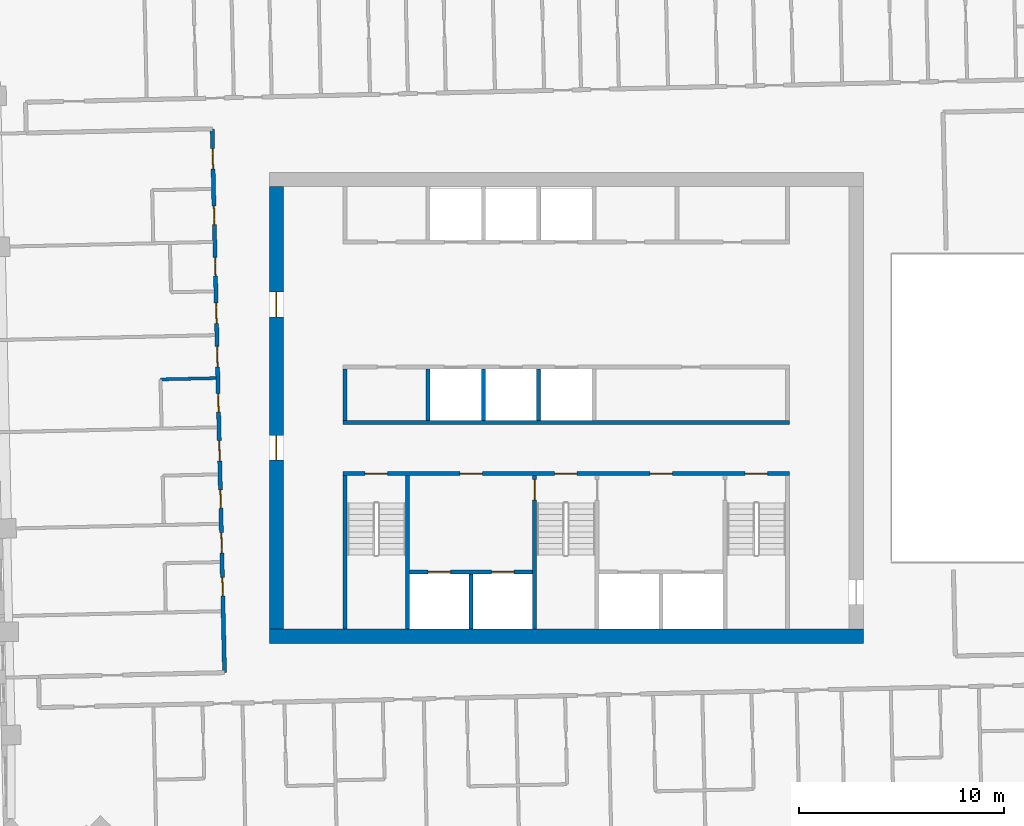
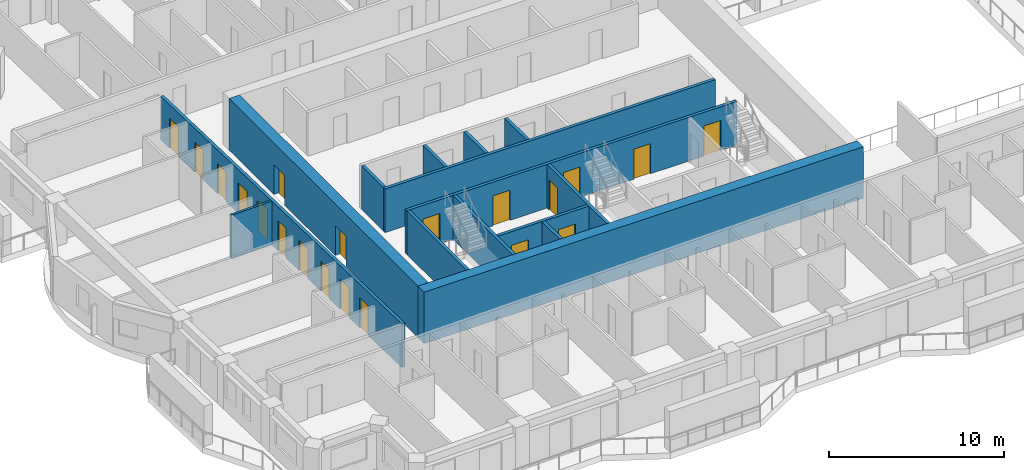
# One storey, part 9 of 20: 20 doors, 15 walls, 20 openings.
"""IFC4 building model written with IfcOpenShell, lengths in metres."""

from ifc_helpers import new_model, si_unit, direction, frame, frame_2d, origin, place, context, subcontext, project, spatial, rectangle, extrude, material, layer, layer_set, type_object, element, fill, save


model = new_model("IFC4")

# Units and contexts
model_context = context("Model", 3, precision=1e-05, world=origin(), true_north=direction((0.0, 1.0)))
body_context = subcontext(model_context, "Body", "Model", "MODEL_VIEW")
ifc_project = project(units=[si_unit("LENGTHUNIT", "METRE"), si_unit("AREAUNIT", "SQUARE_METRE"), si_unit("VOLUMEUNIT", "CUBIC_METRE"), si_unit("PLANEANGLEUNIT", "RADIAN"), si_unit("MASSUNIT", "GRAM", prefix="KILO")], contexts=[model_context])

# Site, building, storey
site_placement = place(None, origin())
site = spatial("IfcSite", under=ifc_project, at=site_placement, CompositionType="ELEMENT")
building_placement = place(site_placement, origin())
building = spatial("IfcBuilding", under=site, at=building_placement, Name="Mangrove Gate Tower", CompositionType="ELEMENT")
storey_placement = place(building_placement, frame((0.0, 0.0, 294.300048828125)))
storey = spatial("IfcBuildingStorey", under=building, at=storey_placement, Name="L75", CompositionType="ELEMENT", Elevation=294.300048828125)

# Walls
ifc_material_1 = material(Name="Concrete C32/40", Category="concrete")
ifc_layer_1 = layer(ifc_material_1, 0.199951171875)
ifc_layer_set_1 = layer_set([ifc_layer_1], Name="Core room wall 200 C32/40")
wall_type_1 = type_object("IfcWallType", Name="Core room wall 200 C32/40", PredefinedType="STANDARD", material=ifc_layer_set_1)
wall_1_placement = place(storey_placement, frame((-10.800048828125, -0.60009765625, 0.0), z_axis=(0.0, 0.0, 1.0), x_axis=(0.0, 1.0, 0.0)))
element("IfcWall", 1, at=wall_1_placement, inside=storey, type_object=wall_type_1, Name="WALL-L75-CORE-19", PredefinedType="STANDARD", context=body_context, shape_type="SweptSolid", body=[
    extrude(rectangle(XDim=2.5, YDim=0.199951171875, at=frame_2d((1.25, 0.0))), origin(), (0.0, 0.0, 1.0), 3.050048828125),
])
ifc_material_2 = material(Name="Concrete C50/60", Category="concrete")
ifc_layer_2 = layer(ifc_material_2, 0.199951171875)
ifc_layer_set_2 = layer_set([ifc_layer_2], Name="Core shaft wall 200 C50/60")
wall_type_2 = type_object("IfcWallType", Name="Core shaft wall 200 C50/60", PredefinedType="SHEAR", material=ifc_layer_set_2)
wall_2_placement = place(storey_placement, frame((-10.89990234375, -0.699951171875, 0.0), z_axis=(0.0, 0.0, 1.0), x_axis=(1.0, 0.0, 0.0)))
element("IfcWall", 2, at=wall_2_placement, inside=storey, type_object=wall_type_2, Name="WALL-L75-CORE-6", PredefinedType="SHEAR", context=body_context, shape_type="SweptSolid", body=[
    extrude(rectangle(XDim=21.7998046875, YDim=0.199951171875, at=frame_2d((10.89990234375, 0.0))), origin(), (0.0, 0.0, 1.0), 3.050048828125),
])

# Wall, openings, doors
wall_3_placement = place(storey_placement, frame((-7.64990234375, -8.0, 0.0), z_axis=(0.0, 0.0, 1.0), x_axis=(1.0, 0.0, 0.0)))
wall_3 = element("IfcWall", 3, at=wall_3_placement, inside=storey, type_object=wall_type_2, Name="WALL-L75-CORE-15", PredefinedType="SHEAR", context=body_context, shape_type="SweptSolid", body=[
    extrude(rectangle(XDim=6.0, YDim=0.199951171875, at=frame_2d((3.0, 0.0))), origin(), (0.0, 0.0, 1.0), 3.050048828125),
])
opening_1_placement = place(wall_3_placement, frame((0.89990234375, 0.0, 0.0)))
opening_1 = element("IfcOpeningElement", 4, at=opening_1_placement, cuts=wall_3, Name="Opening LD", PredefinedType="OPENING", context=body_context, shape_type="SweptSolid", body=[
    extrude(rectangle(XDim=1.10009765625, YDim=2.10009765625, at=frame_2d((0.550048828125, 1.050048828125))), frame((0.0, 0.10986328125, 0.0), z_axis=(0.0, -1.0, 0.0), x_axis=(1.0, 0.0, 0.0)), (0.0, 0.0, 1.0), 0.219970703125),
])
opening_2_placement = place(wall_3_placement, frame((4.0, 0.0, 0.0)))
opening_2 = element("IfcOpeningElement", 5, at=opening_2_placement, cuts=wall_3, Name="Opening LD", PredefinedType="OPENING", context=body_context, shape_type="SweptSolid", body=[
    extrude(rectangle(XDim=1.10009765625, YDim=2.10009765625, at=frame_2d((0.550048828125, 1.050048828125))), frame((0.0, 0.10986328125, 0.0), z_axis=(0.0, -1.0, 0.0), x_axis=(1.0, 0.0, 0.0)), (0.0, 0.0, 1.0), 0.219970703125),
])
ifc_material_3 = material(Name="Stainless steel 316", Category="steel")
door_type_1 = type_object("IfcDoorType", Name="Lift landing door 1100x2100", OperationType="SLIDING_TO_LEFT", PredefinedType="DOOR", material=ifc_material_3)
door_1_placement = place(opening_1_placement, origin())
door_1 = element("IfcDoor", 6, at=door_1_placement, inside=storey, type_object=door_type_1, Name="Landing door LD SVL1", OperationType="SLIDING_TO_LEFT", OverallHeight=2.10009765625, OverallWidth=1.10009765625, PredefinedType="DOOR", context=body_context, shape_type="SweptSolid", body=[
    extrude(rectangle(XDim=1.10009765625, YDim=2.10009765625, at=frame_2d((0.550048828125, 1.050048828125))), frame((0.0, 0.02490234375, 0.0), z_axis=(0.0, -1.0, 0.0), x_axis=(1.0, 0.0, 0.0)), (0.0, 0.0, 1.0), 0.050048828125),
])
fill(opening_1, door_1)
door_2_placement = place(opening_2_placement, origin())
door_2 = element("IfcDoor", 7, at=door_2_placement, inside=storey, type_object=door_type_1, Name="Landing door LD SVL2", OperationType="SLIDING_TO_LEFT", OverallHeight=2.10009765625, OverallWidth=1.10009765625, PredefinedType="DOOR", context=body_context, shape_type="SweptSolid", body=[
    extrude(rectangle(XDim=1.10009765625, YDim=2.10009765625, at=frame_2d((0.550048828125, 1.050048828125))), frame((0.0, 0.02490234375, 0.0), z_axis=(0.0, -1.0, 0.0), x_axis=(1.0, 0.0, 0.0)), (0.0, 0.0, 1.0), 0.050048828125),
])
fill(opening_2, door_2)

# Walls
wall_4_placement = place(storey_placement, frame((-4.64990234375, -10.800048828125, 0.0), z_axis=(0.0, 0.0, 1.0), x_axis=(0.0, 1.0, 0.0)))
element("IfcWall", 8, at=wall_4_placement, inside=storey, type_object=wall_type_2, Name="WALL-L75-CORE-16", PredefinedType="SHEAR", context=body_context, shape_type="SweptSolid", body=[
    extrude(rectangle(XDim=2.699951171875, YDim=0.199951171875, at=frame_2d((1.35009765625, 0.0))), origin(), (0.0, 0.0, 1.0), 3.050048828125),
])
for number, where, z_axis, x_axis, name in (
    (9, (-6.75, -0.60009765625, 0.0), (0.0, 0.0, 1.0), (0.0, 1.0, 0.0), "WALL-L75-CORE-20"),
    (10, (-4.050048828125, -0.60009765625, 0.0), (0.0, 0.0, 1.0), (0.0, 1.0, 0.0), "WALL-L75-CORE-21"),
    (11, (-1.35009765625, -0.60009765625, 0.0), (0.0, 0.0, 1.0), (0.0, 1.0, 0.0), "WALL-L75-CORE-22"),
):
    element("IfcWall", number, at=place(storey_placement, frame(where, z_axis=z_axis, x_axis=x_axis)), inside=storey, type_object=wall_type_2, Name=name, PredefinedType="SHEAR", context=body_context, shape_type="SweptSolid", body=[
        extrude(rectangle(XDim=2.5, YDim=0.199951171875, at=frame_2d((1.25, 0.0))), origin(), (0.0, 0.0, 1.0), 3.050048828125),
    ])

# Wall, openings, doors
ifc_material_4 = material(Name="Concrete C50/60", Category="concrete")
ifc_layer_3 = layer(ifc_material_4, 0.199951171875)
ifc_layer_set_3 = layer_set([ifc_layer_3], Name="Core stair wall 200 C50/60")
wall_type_3 = type_object("IfcWallType", Name="Core stair wall 200 C50/60", PredefinedType="SHEAR", material=ifc_layer_set_3)
wall_5_placement = place(storey_placement, frame((-10.89990234375, -3.199951171875, 0.0), z_axis=(0.0, 0.0, 1.0), x_axis=(1.0, 0.0, 0.0)))
wall_5 = element("IfcWall", 12, at=wall_5_placement, inside=storey, type_object=wall_type_3, Name="WALL-L75-CORE-5", PredefinedType="SHEAR", context=body_context, shape_type="SweptSolid", body=[
    extrude(rectangle(XDim=21.7998046875, YDim=0.199951171875, at=frame_2d((10.89990234375, 0.0))), origin(), (0.0, 0.0, 1.0), 3.050048828125),
])
opening_3_placement = place(wall_5_placement, frame((1.074951171875, 0.0, 0.0)))
opening_3 = element("IfcOpeningElement", 13, at=opening_3_placement, cuts=wall_5, Name="Opening STD11", PredefinedType="OPENING", context=body_context, shape_type="SweptSolid", body=[
    extrude(rectangle(XDim=1.10009765625, YDim=2.10009765625, at=frame_2d((0.550048828125, 1.050048828125))), frame((0.0, 0.10986328125, 0.0), z_axis=(0.0, -1.0, 0.0), x_axis=(1.0, 0.0, 0.0)), (0.0, 0.0, 1.0), 0.219970703125),
])
opening_4_placement = place(wall_5_placement, frame((10.324951171875, 0.0, 0.0)))
opening_4 = element("IfcOpeningElement", 14, at=opening_4_placement, cuts=wall_5, Name="Opening STD11", PredefinedType="OPENING", context=body_context, shape_type="SweptSolid", body=[
    extrude(rectangle(XDim=1.10009765625, YDim=2.10009765625, at=frame_2d((0.550048828125, 1.050048828125))), frame((0.0, 0.10986328125, 0.0), z_axis=(0.0, -1.0, 0.0), x_axis=(1.0, 0.0, 0.0)), (0.0, 0.0, 1.0), 0.219970703125),
])
opening_5_placement = place(wall_5_placement, frame((19.625, 0.0, 0.0)))
opening_5 = element("IfcOpeningElement", 15, at=opening_5_placement, cuts=wall_5, Name="Opening STD11", PredefinedType="OPENING", context=body_context, shape_type="SweptSolid", body=[
    extrude(rectangle(XDim=1.10009765625, YDim=2.10009765625, at=frame_2d((0.550048828125, 1.050048828125))), frame((0.0, 0.10986328125, 0.0), z_axis=(0.0, -1.0, 0.0), x_axis=(1.0, 0.0, 0.0)), (0.0, 0.0, 1.0), 0.219970703125),
])
opening_6_placement = place(wall_5_placement, frame((5.699951171875, 0.0, 0.0)))
opening_6 = element("IfcOpeningElement", 16, at=opening_6_placement, cuts=wall_5, Name="Opening FL", PredefinedType="OPENING", context=body_context, shape_type="SweptSolid", body=[
    extrude(rectangle(XDim=1.10009765625, YDim=2.10009765625, at=frame_2d((0.550048828125, 1.050048828125))), frame((0.0, 0.10986328125, 0.0), z_axis=(0.0, -1.0, 0.0), x_axis=(1.0, 0.0, 0.0)), (0.0, 0.0, 1.0), 0.219970703125),
])
opening_7_placement = place(wall_5_placement, frame((14.97509765625, 0.0, 0.0)))
opening_7 = element("IfcOpeningElement", 17, at=opening_7_placement, cuts=wall_5, Name="Opening FL", PredefinedType="OPENING", context=body_context, shape_type="SweptSolid", body=[
    extrude(rectangle(XDim=1.10009765625, YDim=2.10009765625, at=frame_2d((0.550048828125, 1.050048828125))), frame((0.0, 0.10986328125, 0.0), z_axis=(0.0, -1.0, 0.0), x_axis=(1.0, 0.0, 0.0)), (0.0, 0.0, 1.0), 0.219970703125),
])
ifc_material_5 = material(Name="Fire-rated steel door set", Category="steel")
door_type_2 = type_object("IfcDoorType", Name="Lobby door FD60 1100x2100", OperationType="SINGLE_SWING_LEFT", PredefinedType="DOOR", material=ifc_material_5)
door_3_placement = place(opening_6_placement, origin())
door_3 = element("IfcDoor", 18, at=door_3_placement, inside=storey, type_object=door_type_2, Name="Lobby door service lobby", OperationType="SINGLE_SWING_LEFT", OverallHeight=2.10009765625, OverallWidth=1.10009765625, PredefinedType="DOOR", context=body_context, shape_type="SweptSolid", body=[
    extrude(rectangle(XDim=1.10009765625, YDim=2.10009765625, at=frame_2d((0.550048828125, 1.050048828125))), frame((0.0, 0.02490234375, 0.0), z_axis=(0.0, -1.0, 0.0), x_axis=(1.0, 0.0, 0.0)), (0.0, 0.0, 1.0), 0.050048828125),
])
fill(opening_6, door_3)
door_4_placement = place(opening_7_placement, origin())
door_4 = element("IfcDoor", 19, at=door_4_placement, inside=storey, type_object=door_type_2, Name="Lobby door fire-fighting lobby", OperationType="SINGLE_SWING_LEFT", OverallHeight=2.10009765625, OverallWidth=1.10009765625, PredefinedType="DOOR", context=body_context, shape_type="SweptSolid", body=[
    extrude(rectangle(XDim=1.10009765625, YDim=2.10009765625, at=frame_2d((0.550048828125, 1.050048828125))), frame((0.0, 0.02490234375, 0.0), z_axis=(0.0, -1.0, 0.0), x_axis=(1.0, 0.0, 0.0)), (0.0, 0.0, 1.0), 0.050048828125),
])
fill(opening_7, door_4)
ifc_material_6 = material(Name="Fire-rated steel door set", Category="steel")
door_type_3 = type_object("IfcDoorType", Name="Stair door FD60 1100x2100", OperationType="SINGLE_SWING_RIGHT", PredefinedType="DOOR", material=ifc_material_6)
door_5_placement = place(opening_3_placement, origin())
door_5 = element("IfcDoor", 20, at=door_5_placement, inside=storey, type_object=door_type_3, Name="Stair door Stair 1", OperationType="SINGLE_SWING_RIGHT", OverallHeight=2.10009765625, OverallWidth=1.10009765625, PredefinedType="DOOR", context=body_context, shape_type="SweptSolid", body=[
    extrude(rectangle(XDim=1.10009765625, YDim=2.10009765625, at=frame_2d((0.550048828125, 1.050048828125))), frame((0.0, 0.02490234375, 0.0), z_axis=(0.0, -1.0, 0.0), x_axis=(1.0, 0.0, 0.0)), (0.0, 0.0, 1.0), 0.050048828125),
])
fill(opening_3, door_5)
door_6_placement = place(opening_4_placement, origin())
door_6 = element("IfcDoor", 21, at=door_6_placement, inside=storey, type_object=door_type_3, Name="Stair door Stair 2", OperationType="SINGLE_SWING_RIGHT", OverallHeight=2.10009765625, OverallWidth=1.10009765625, PredefinedType="DOOR", context=body_context, shape_type="SweptSolid", body=[
    extrude(rectangle(XDim=1.10009765625, YDim=2.10009765625, at=frame_2d((0.550048828125, 1.050048828125))), frame((0.0, 0.02490234375, 0.0), z_axis=(0.0, -1.0, 0.0), x_axis=(1.0, 0.0, 0.0)), (0.0, 0.0, 1.0), 0.050048828125),
])
fill(opening_4, door_6)
door_7_placement = place(opening_5_placement, origin())
door_7 = element("IfcDoor", 22, at=door_7_placement, inside=storey, type_object=door_type_3, Name="Stair door Stair 3", OperationType="SINGLE_SWING_RIGHT", OverallHeight=2.10009765625, OverallWidth=1.10009765625, PredefinedType="DOOR", context=body_context, shape_type="SweptSolid", body=[
    extrude(rectangle(XDim=1.10009765625, YDim=2.10009765625, at=frame_2d((0.550048828125, 1.050048828125))), frame((0.0, 0.02490234375, 0.0), z_axis=(0.0, -1.0, 0.0), x_axis=(1.0, 0.0, 0.0)), (0.0, 0.0, 1.0), 0.050048828125),
])
fill(opening_5, door_7)

# Walls
for number, where, z_axis, x_axis, name in (
    (23, (-10.800048828125, -10.800048828125, 0.0), (0.0, 0.0, 1.0), (0.0, 1.0, 0.0), "WALL-L75-CORE-9"),
    (24, (-7.75, -10.800048828125, 0.0), (0.0, 0.0, 1.0), (0.0, 1.0, 0.0), "WALL-L75-CORE-10"),
):
    element("IfcWall", number, at=place(storey_placement, frame(where, z_axis=z_axis, x_axis=x_axis)), inside=storey, type_object=wall_type_3, Name=name, PredefinedType="SHEAR", context=body_context, shape_type="SweptSolid", body=[
        extrude(rectangle(XDim=7.5, YDim=0.199951171875, at=frame_2d((3.75, 0.0))), origin(), (0.0, 0.0, 1.0), 3.050048828125),
    ])

# Wall, opening, door
wall_6_placement = place(storey_placement, frame((-1.550048828125, -10.800048828125, 0.0), z_axis=(0.0, 0.0, 1.0), x_axis=(0.0, 1.0, 0.0)))
wall_6 = element("IfcWall", 25, at=wall_6_placement, inside=storey, type_object=wall_type_3, Name="WALL-L75-CORE-11", PredefinedType="SHEAR", context=body_context, shape_type="SweptSolid", body=[
    extrude(rectangle(XDim=7.5, YDim=0.199951171875, at=frame_2d((3.75, 0.0))), origin(), (0.0, 0.0, 1.0), 3.050048828125),
])
opening_8_placement = place(wall_6_placement, frame((6.300048828125, 0.0, 0.0)))
opening_8 = element("IfcOpeningElement", 26, at=opening_8_placement, cuts=wall_6, Name="Opening STD10", PredefinedType="OPENING", context=body_context, shape_type="SweptSolid", body=[
    extrude(rectangle(XDim=1.0, YDim=2.10009765625, at=frame_2d((0.5, 1.050048828125))), frame((0.0, 0.10986328125, 0.0), z_axis=(0.0, -1.0, 0.0), x_axis=(1.0, 0.0, 0.0)), (0.0, 0.0, 1.0), 0.219970703125),
])
ifc_material_7 = material(Name="Fire-rated steel door set", Category="steel")
door_type_4 = type_object("IfcDoorType", Name="Stair door FD60 1000x2100", OperationType="SINGLE_SWING_RIGHT", PredefinedType="DOOR", material=ifc_material_7)
door_8_placement = place(opening_8_placement, origin())
door_8 = element("IfcDoor", 27, at=door_8_placement, inside=storey, type_object=door_type_4, Name="Stair door Stair 2 from service lobby", OperationType="SINGLE_SWING_RIGHT", OverallHeight=2.10009765625, OverallWidth=1.0, PredefinedType="DOOR", context=body_context, shape_type="SweptSolid", body=[
    extrude(rectangle(XDim=1.0, YDim=2.10009765625, at=frame_2d((0.5, 1.050048828125))), frame((0.0, 0.02490234375, 0.0), z_axis=(0.0, -1.0, 0.0), x_axis=(1.0, 0.0, 0.0)), (0.0, 0.0, 1.0), 0.050048828125),
])
fill(opening_8, door_8)

# Wall
ifc_material_8 = material(Name="Concrete C50/60", Category="concrete")
ifc_layer_4 = layer(ifc_material_8, 0.699951171875)
ifc_layer_set_4 = layer_set([ifc_layer_4], Name="Core wall 700 C50/60")
wall_type_4 = type_object("IfcWallType", Name="Core wall 700 C50/60", PredefinedType="SHEAR", material=ifc_layer_set_4)
wall_7_placement = place(storey_placement, frame((-14.5, -11.14990234375, 0.0), z_axis=(0.0, 0.0, 1.0), x_axis=(1.0, 0.0, 0.0)))
element("IfcWall", 28, at=wall_7_placement, inside=storey, type_object=wall_type_4, Name="WALL-L75-CORE-1", PredefinedType="SHEAR", context=body_context, shape_type="SweptSolid", body=[
    extrude(rectangle(XDim=29.0, YDim=0.699951171875, at=frame_2d((14.5, 0.0))), origin(), (0.0, 0.0, 1.0), 3.599853515625),
])

# Wall, openings, doors
wall_8_placement = place(storey_placement, frame((-14.14990234375, -10.800048828125, 0.0), z_axis=(0.0, 0.0, 1.0), x_axis=(0.0, 1.0, 0.0)))
wall_8 = element("IfcWall", 29, at=wall_8_placement, inside=storey, type_object=wall_type_4, Name="WALL-L75-CORE-3", PredefinedType="SHEAR", context=body_context, shape_type="SweptSolid", body=[
    extrude(rectangle(XDim=21.60009765625, YDim=0.699951171875, at=frame_2d((10.800048828125, 0.0))), origin(), (0.0, 0.0, 1.0), 3.599853515625),
])
opening_9_placement = place(wall_8_placement, frame((8.25, 0.0, 0.0)))
opening_9 = element("IfcOpeningElement", 30, at=opening_9_placement, cuts=wall_8, Name="Opening CD", PredefinedType="OPENING", context=body_context, shape_type="SweptSolid", body=[
    extrude(rectangle(XDim=1.199951171875, YDim=2.10009765625, at=frame_2d((0.60009765625, 1.050048828125))), frame((0.0, 0.35986328125, 0.0), z_axis=(0.0, -1.0, 0.0), x_axis=(1.0, 0.0, 0.0)), (0.0, 0.0, 1.0), 0.719970703125),
])
opening_10_placement = place(wall_8_placement, frame((15.25, 0.0, 0.0)))
opening_10 = element("IfcOpeningElement", 31, at=opening_10_placement, cuts=wall_8, Name="Opening CD", PredefinedType="OPENING", context=body_context, shape_type="SweptSolid", body=[
    extrude(rectangle(XDim=1.199951171875, YDim=2.10009765625, at=frame_2d((0.60009765625, 1.050048828125))), frame((0.0, 0.35986328125, 0.0), z_axis=(0.0, -1.0, 0.0), x_axis=(1.0, 0.0, 0.0)), (0.0, 0.0, 1.0), 0.719970703125),
])
ifc_material_9 = material(Name="Fire-rated steel door set", Category="steel")
door_type_5 = type_object("IfcDoorType", Name="Core ring door FD60 1200x2100", OperationType="DOUBLE_DOOR_SINGLE_SWING", PredefinedType="DOOR", material=ifc_material_9)
door_9_placement = place(opening_9_placement, origin())
door_9 = element("IfcDoor", 32, at=door_9_placement, inside=storey, type_object=door_type_5, Name="Core ring door W1", OperationType="DOUBLE_DOOR_SINGLE_SWING", OverallHeight=2.10009765625, OverallWidth=1.199951171875, PredefinedType="DOOR", context=body_context, shape_type="SweptSolid", body=[
    extrude(rectangle(XDim=1.199951171875, YDim=2.10009765625, at=frame_2d((0.60009765625, 1.050048828125))), frame((0.0, 0.02490234375, 0.0), z_axis=(0.0, -1.0, 0.0), x_axis=(1.0, 0.0, 0.0)), (0.0, 0.0, 1.0), 0.050048828125),
])
fill(opening_9, door_9)
door_10_placement = place(opening_10_placement, origin())
door_10 = element("IfcDoor", 33, at=door_10_placement, inside=storey, type_object=door_type_5, Name="Core ring door W2", OperationType="DOUBLE_DOOR_SINGLE_SWING", OverallHeight=2.10009765625, OverallWidth=1.199951171875, PredefinedType="DOOR", context=body_context, shape_type="SweptSolid", body=[
    extrude(rectangle(XDim=1.199951171875, YDim=2.10009765625, at=frame_2d((0.60009765625, 1.050048828125))), frame((0.0, 0.02490234375, 0.0), z_axis=(0.0, -1.0, 0.0), x_axis=(1.0, 0.0, 0.0)), (0.0, 0.0, 1.0), 0.050048828125),
])
fill(opening_10, door_10)

ifc_material_10 = material(Name="Gypsum board on steel stud, EI 60", Category="steel")
ifc_layer_5 = layer(ifc_material_10, 0.199951171875)
ifc_layer_set_5 = layer_set([ifc_layer_5], Name="Corridor wall EI 60")
wall_type_5 = type_object("IfcWallType", Name="Corridor wall EI 60", PredefinedType="PARTITIONING", material=ifc_layer_set_5)
wall_9_placement = place(storey_placement, frame((-16.68408203125, -12.9189453125, 0.0), z_axis=(0.0, 0.0, 1.0), x_axis=(-0.022712214871, 0.999742044377, 0.0)))
wall_9 = element("IfcWall", 34, at=wall_9_placement, inside=storey, type_object=wall_type_5, Name="WALL-L75-034", PredefinedType="PARTITIONING", context=body_context, shape_type="SweptSolid", body=[
    extrude(rectangle(XDim=26.55078125, YDim=0.199951171875, at=frame_2d((13.275390625, 0.0))), origin(), (0.0, 0.0, 1.0), 3.050048828125),
])
opening_11_placement = place(wall_9_placement, frame((24.587890625, 0.0, 0.0)))
opening_11 = element("IfcOpeningElement", 35, at=opening_11_placement, cuts=wall_9, Name="Opening AD", PredefinedType="OPENING", context=body_context, shape_type="SweptSolid", body=[
    extrude(rectangle(XDim=1.0, YDim=2.10009765625, at=frame_2d((0.5, 1.050048828125))), frame((0.0, 0.10986328125, 0.0), z_axis=(0.0, -1.0, 0.0), x_axis=(1.0, 0.0, 0.0)), (0.0, 0.0, 1.0), 0.219970703125),
])
opening_12_placement = place(wall_9_placement, frame((21.875, 0.0, 0.0)))
opening_12 = element("IfcOpeningElement", 36, at=opening_12_placement, cuts=wall_9, Name="Opening SD", PredefinedType="OPENING", context=body_context, shape_type="SweptSolid", body=[
    extrude(rectangle(XDim=0.89990234375, YDim=2.10009765625, at=frame_2d((0.449951171875, 1.050048828125))), frame((0.0, 0.10986328125, 0.0), z_axis=(0.0, -1.0, 0.0), x_axis=(1.0, 0.0, 0.0)), (0.0, 0.0, 1.0), 0.219970703125),
])
opening_13_placement = place(wall_9_placement, frame((17.050048828125, 0.0, 0.0)))
opening_13 = element("IfcOpeningElement", 37, at=opening_13_placement, cuts=wall_9, Name="Opening AD", PredefinedType="OPENING", context=body_context, shape_type="SweptSolid", body=[
    extrude(rectangle(XDim=1.0, YDim=2.10009765625, at=frame_2d((0.5, 1.050048828125))), frame((0.0, 0.10986328125, 0.0), z_axis=(0.0, -1.0, 0.0), x_axis=(1.0, 0.0, 0.0)), (0.0, 0.0, 1.0), 0.219970703125),
])
opening_14_placement = place(wall_9_placement, frame((19.375, 0.0, 0.0)))
opening_14 = element("IfcOpeningElement", 38, at=opening_14_placement, cuts=wall_9, Name="Opening SD", PredefinedType="OPENING", context=body_context, shape_type="SweptSolid", body=[
    extrude(rectangle(XDim=0.89990234375, YDim=2.10009765625, at=frame_2d((0.449951171875, 1.050048828125))), frame((0.0, 0.10986328125, 0.0), z_axis=(0.0, -1.0, 0.0), x_axis=(1.0, 0.0, 0.0)), (0.0, 0.0, 1.0), 0.219970703125),
])
opening_15_placement = place(wall_9_placement, frame((14.925048828125, 0.0, 0.0)))
opening_15 = element("IfcOpeningElement", 39, at=opening_15_placement, cuts=wall_9, Name="Opening AD", PredefinedType="OPENING", context=body_context, shape_type="SweptSolid", body=[
    extrude(rectangle(XDim=1.0, YDim=2.10009765625, at=frame_2d((0.5, 1.050048828125))), frame((0.0, 0.10986328125, 0.0), z_axis=(0.0, -1.0, 0.0), x_axis=(1.0, 0.0, 0.0)), (0.0, 0.0, 1.0), 0.219970703125),
])
opening_16_placement = place(wall_9_placement, frame((12.72509765625, 0.0, 0.0)))
opening_16 = element("IfcOpeningElement", 40, at=opening_16_placement, cuts=wall_9, Name="Opening SD", PredefinedType="OPENING", context=body_context, shape_type="SweptSolid", body=[
    extrude(rectangle(XDim=0.89990234375, YDim=2.10009765625, at=frame_2d((0.449951171875, 1.050048828125))), frame((0.0, 0.10986328125, 0.0), z_axis=(0.0, -1.0, 0.0), x_axis=(1.0, 0.0, 0.0)), (0.0, 0.0, 1.0), 0.219970703125),
])
opening_17_placement = place(wall_9_placement, frame((10.324951171875, 0.0, 0.0)))
opening_17 = element("IfcOpeningElement", 41, at=opening_17_placement, cuts=wall_9, Name="Opening AD", PredefinedType="OPENING", context=body_context, shape_type="SweptSolid", body=[
    extrude(rectangle(XDim=1.0, YDim=2.10009765625, at=frame_2d((0.5, 1.050048828125))), frame((0.0, 0.10986328125, 0.0), z_axis=(0.0, -1.0, 0.0), x_axis=(1.0, 0.0, 0.0)), (0.0, 0.0, 1.0), 0.219970703125),
])
opening_18_placement = place(wall_9_placement, frame((8.02490234375, 0.0, 0.0)))
opening_18 = element("IfcOpeningElement", 42, at=opening_18_placement, cuts=wall_9, Name="Opening SD", PredefinedType="OPENING", context=body_context, shape_type="SweptSolid", body=[
    extrude(rectangle(XDim=0.89990234375, YDim=2.10009765625, at=frame_2d((0.449951171875, 1.050048828125))), frame((0.0, 0.10986328125, 0.0), z_axis=(0.0, -1.0, 0.0), x_axis=(1.0, 0.0, 0.0)), (0.0, 0.0, 1.0), 0.219970703125),
])
opening_19_placement = place(wall_9_placement, frame((5.8369140625, 0.0, 0.0)))
opening_19 = element("IfcOpeningElement", 43, at=opening_19_placement, cuts=wall_9, Name="Opening AD", PredefinedType="OPENING", context=body_context, shape_type="SweptSolid", body=[
    extrude(rectangle(XDim=1.0, YDim=2.10009765625, at=frame_2d((0.5, 1.050048828125))), frame((0.0, 0.10986328125, 0.0), z_axis=(0.0, -1.0, 0.0), x_axis=(1.0, 0.0, 0.0)), (0.0, 0.0, 1.0), 0.219970703125),
])
opening_20_placement = place(wall_9_placement, frame((3.75, 0.0, 0.0)))
opening_20 = element("IfcOpeningElement", 44, at=opening_20_placement, cuts=wall_9, Name="Opening SD", PredefinedType="OPENING", context=body_context, shape_type="SweptSolid", body=[
    extrude(rectangle(XDim=0.89990234375, YDim=2.10009765625, at=frame_2d((0.449951171875, 1.050048828125))), frame((0.0, 0.10986328125, 0.0), z_axis=(0.0, -1.0, 0.0), x_axis=(1.0, 0.0, 0.0)), (0.0, 0.0, 1.0), 0.219970703125),
])
ifc_material_11 = material(Name="Timber door leaf", Category="wood")
door_type_6 = type_object("IfcDoorType", Name="Amenity door 1000", OperationType="SINGLE_SWING_LEFT", PredefinedType="DOOR", material=ifc_material_11)
door_11_placement = place(opening_11_placement, origin())
door_11 = element("IfcDoor", 45, at=door_11_placement, inside=storey, type_object=door_type_6, Name="DOOR-L75-KIT-c5a", OperationType="SINGLE_SWING_LEFT", OverallHeight=2.10009765625, OverallWidth=1.0, PredefinedType="DOOR", context=body_context, shape_type="SweptSolid", body=[
    extrude(rectangle(XDim=1.0, YDim=2.10009765625, at=frame_2d((0.5, 1.050048828125))), frame((0.0, 0.02490234375, 0.0), z_axis=(0.0, -1.0, 0.0), x_axis=(1.0, 0.0, 0.0)), (0.0, 0.0, 1.0), 0.050048828125),
])
fill(opening_11, door_11)
door_12_placement = place(opening_13_placement, origin())
door_12 = element("IfcDoor", 46, at=door_12_placement, inside=storey, type_object=door_type_6, Name="DOOR-L75-KIT-c5b", OperationType="SINGLE_SWING_RIGHT", OverallHeight=2.10009765625, OverallWidth=1.0, PredefinedType="DOOR", context=body_context, shape_type="SweptSolid", body=[
    extrude(rectangle(XDim=1.0, YDim=2.10009765625, at=frame_2d((0.5, 1.050048828125))), frame((0.0, 0.02490234375, 0.0), z_axis=(0.0, -1.0, 0.0), x_axis=(1.0, 0.0, 0.0)), (0.0, 0.0, 1.0), 0.050048828125),
])
fill(opening_13, door_12)
door_13_placement = place(opening_15_placement, origin())
door_13 = element("IfcDoor", 47, at=door_13_placement, inside=storey, type_object=door_type_6, Name="DOOR-L75-KIT-c5c", OperationType="SINGLE_SWING_LEFT", OverallHeight=2.10009765625, OverallWidth=1.0, PredefinedType="DOOR", context=body_context, shape_type="SweptSolid", body=[
    extrude(rectangle(XDim=1.0, YDim=2.10009765625, at=frame_2d((0.5, 1.050048828125))), frame((0.0, 0.02490234375, 0.0), z_axis=(0.0, -1.0, 0.0), x_axis=(1.0, 0.0, 0.0)), (0.0, 0.0, 1.0), 0.050048828125),
])
fill(opening_15, door_13)
door_14_placement = place(opening_17_placement, origin())
door_14 = element("IfcDoor", 48, at=door_14_placement, inside=storey, type_object=door_type_6, Name="DOOR-L75-GAM-c5a", OperationType="SINGLE_SWING_RIGHT", OverallHeight=2.10009765625, OverallWidth=1.0, PredefinedType="DOOR", context=body_context, shape_type="SweptSolid", body=[
    extrude(rectangle(XDim=1.0, YDim=2.10009765625, at=frame_2d((0.5, 1.050048828125))), frame((0.0, 0.02490234375, 0.0), z_axis=(0.0, -1.0, 0.0), x_axis=(1.0, 0.0, 0.0)), (0.0, 0.0, 1.0), 0.050048828125),
])
fill(opening_17, door_14)
door_15_placement = place(opening_19_placement, origin())
door_15 = element("IfcDoor", 49, at=door_15_placement, inside=storey, type_object=door_type_6, Name="DOOR-L75-LNG-c5a", OperationType="SINGLE_SWING_LEFT", OverallHeight=2.10009765625, OverallWidth=1.0, PredefinedType="DOOR", context=body_context, shape_type="SweptSolid", body=[
    extrude(rectangle(XDim=1.0, YDim=2.10009765625, at=frame_2d((0.5, 1.050048828125))), frame((0.0, 0.02490234375, 0.0), z_axis=(0.0, -1.0, 0.0), x_axis=(1.0, 0.0, 0.0)), (0.0, 0.0, 1.0), 0.050048828125),
])
fill(opening_19, door_15)
ifc_material_12 = material(Name="Timber door leaf", Category="wood")
door_type_7 = type_object("IfcDoorType", Name="Service room door 900", OperationType="SINGLE_SWING_LEFT", PredefinedType="DOOR", material=ifc_material_12)
door_16_placement = place(opening_12_placement, origin())
door_16 = element("IfcDoor", 50, at=door_16_placement, inside=storey, type_object=door_type_7, Name="DOOR-L75-AWC-c5a", OperationType="SINGLE_SWING_LEFT", OverallHeight=2.10009765625, OverallWidth=0.89990234375, PredefinedType="DOOR", context=body_context, shape_type="SweptSolid", body=[
    extrude(rectangle(XDim=0.89990234375, YDim=2.10009765625, at=frame_2d((0.449951171875, 1.050048828125))), frame((0.0, 0.02490234375, 0.0), z_axis=(0.0, -1.0, 0.0), x_axis=(1.0, 0.0, 0.0)), (0.0, 0.0, 1.0), 0.050048828125),
])
fill(opening_12, door_16)
door_17_placement = place(opening_14_placement, origin())
door_17 = element("IfcDoor", 51, at=door_17_placement, inside=storey, type_object=door_type_7, Name="DOOR-L75-LIN-c5a", OperationType="SINGLE_SWING_RIGHT", OverallHeight=2.10009765625, OverallWidth=0.89990234375, PredefinedType="DOOR", context=body_context, shape_type="SweptSolid", body=[
    extrude(rectangle(XDim=0.89990234375, YDim=2.10009765625, at=frame_2d((0.449951171875, 1.050048828125))), frame((0.0, 0.02490234375, 0.0), z_axis=(0.0, -1.0, 0.0), x_axis=(1.0, 0.0, 0.0)), (0.0, 0.0, 1.0), 0.050048828125),
])
fill(opening_14, door_17)
door_18_placement = place(opening_16_placement, origin())
door_18 = element("IfcDoor", 52, at=door_18_placement, inside=storey, type_object=door_type_7, Name="DOOR-L75-WC-c5a", OperationType="SINGLE_SWING_LEFT", OverallHeight=2.10009765625, OverallWidth=0.89990234375, PredefinedType="DOOR", context=body_context, shape_type="SweptSolid", body=[
    extrude(rectangle(XDim=0.89990234375, YDim=2.10009765625, at=frame_2d((0.449951171875, 1.050048828125))), frame((0.0, 0.02490234375, 0.0), z_axis=(0.0, -1.0, 0.0), x_axis=(1.0, 0.0, 0.0)), (0.0, 0.0, 1.0), 0.050048828125),
])
fill(opening_16, door_18)
door_19_placement = place(opening_18_placement, origin())
door_19 = element("IfcDoor", 53, at=door_19_placement, inside=storey, type_object=door_type_7, Name="DOOR-L75-WC-c5b", OperationType="SINGLE_SWING_RIGHT", OverallHeight=2.10009765625, OverallWidth=0.89990234375, PredefinedType="DOOR", context=body_context, shape_type="SweptSolid", body=[
    extrude(rectangle(XDim=0.89990234375, YDim=2.10009765625, at=frame_2d((0.449951171875, 1.050048828125))), frame((0.0, 0.02490234375, 0.0), z_axis=(0.0, -1.0, 0.0), x_axis=(1.0, 0.0, 0.0)), (0.0, 0.0, 1.0), 0.050048828125),
])
fill(opening_18, door_19)
door_20_placement = place(opening_20_placement, origin())
door_20 = element("IfcDoor", 54, at=door_20_placement, inside=storey, type_object=door_type_7, Name="DOOR-L75-WC-c5c", OperationType="SINGLE_SWING_LEFT", OverallHeight=2.10009765625, OverallWidth=0.89990234375, PredefinedType="DOOR", context=body_context, shape_type="SweptSolid", body=[
    extrude(rectangle(XDim=0.89990234375, YDim=2.10009765625, at=frame_2d((0.449951171875, 1.050048828125))), frame((0.0, 0.02490234375, 0.0), z_axis=(0.0, -1.0, 0.0), x_axis=(1.0, 0.0, 0.0)), (0.0, 0.0, 1.0), 0.050048828125),
])
fill(opening_20, door_20)

# Wall
ifc_material_13 = material(Name="Gypsum board on steel stud, EI 60", Category="steel")
ifc_layer_6 = layer(ifc_material_13, 0.14990234375)
ifc_layer_set_6 = layer_set([ifc_layer_6], Name="Party wall 150 EI 60")
wall_type_6 = type_object("IfcWallType", Name="Party wall 150 EI 60", PredefinedType="PARTITIONING", material=ifc_layer_set_6)
wall_10_placement = place(storey_placement, frame((-19.804931640625, 1.39404296875, 0.0), z_axis=(0.0, 0.0, 1.0), x_axis=(0.999736346258, 0.022961663075, 0.0)))
element("IfcWall", 55, at=wall_10_placement, inside=storey, type_object=wall_type_6, Name="WALL-L75-046", PredefinedType="PARTITIONING", context=body_context, shape_type="SweptSolid", body=[
    extrude(rectangle(XDim=2.70068359375, YDim=0.14990234375, at=frame_2d((1.350341796875, 0.0))), origin(), (0.0, 0.0, 1.0), 3.050048828125),
])

save(model, "model.ifc")
